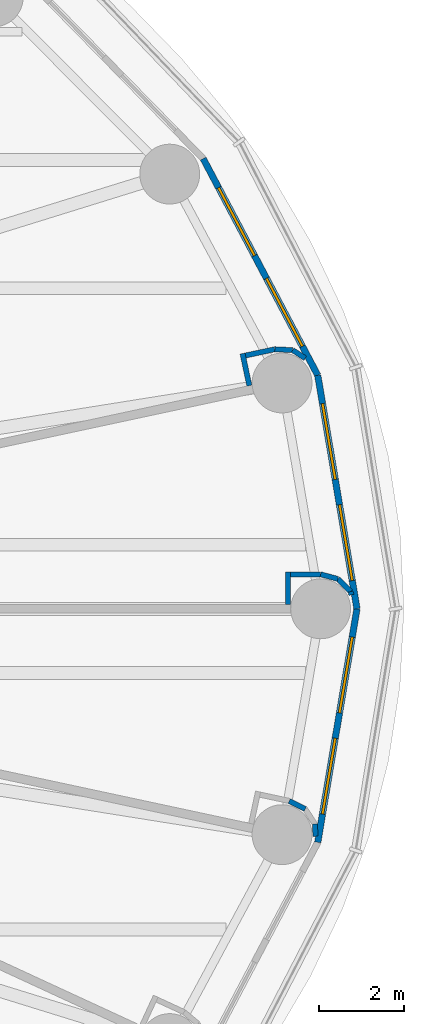
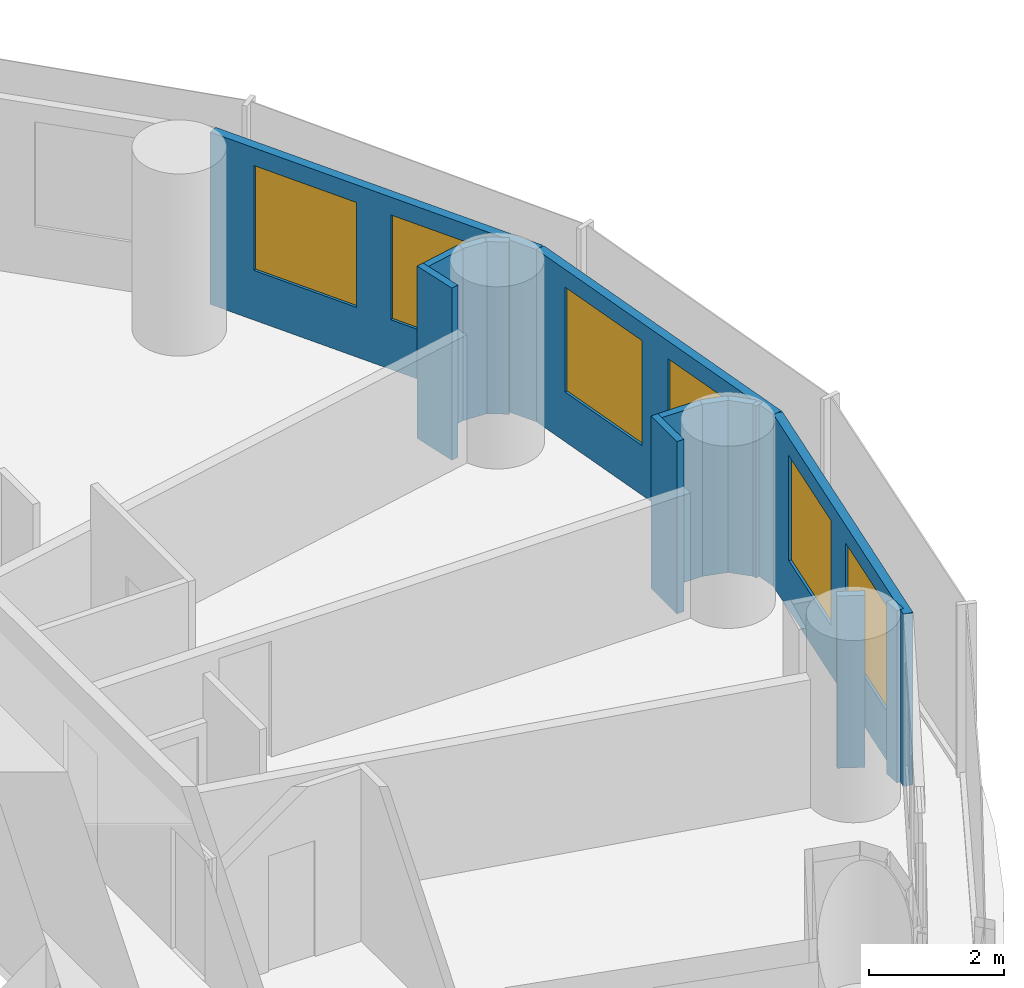
# One storey, part 11 of 14: 14 walls, 6 windows, 6 openings.
"""IFC4 building model written with IfcOpenShell, lengths in metres."""

from ifc_helpers import new_model, si_unit, direction, frame, frame_2d, origin, place, context, subcontext, project, spatial, rectangle, extrude, material, layer, layer_set, type_object, element, fill, save


model = new_model("IFC4")

# Units and contexts
model_context = context("Model", 3, precision=1e-05, world=origin(), true_north=direction((0.0, 1.0)))
body_context = subcontext(model_context, "Body", "Model", "MODEL_VIEW")
ifc_project = project(units=[si_unit("LENGTHUNIT", "METRE"), si_unit("AREAUNIT", "SQUARE_METRE"), si_unit("VOLUMEUNIT", "CUBIC_METRE"), si_unit("PLANEANGLEUNIT", "RADIAN"), si_unit("MASSUNIT", "GRAM", prefix="KILO")], contexts=[model_context])

# Site, building, storey
site_placement = place(None, origin())
site = spatial("IfcSite", under=ifc_project, at=site_placement, CompositionType="ELEMENT")
building_placement = place(site_placement, origin())
building = spatial("IfcBuilding", under=site, at=building_placement, Name="Hankou Lantern Tower", CompositionType="ELEMENT")
storey_placement = place(building_placement, frame((0.0, 0.0, 60.60009765625)))
storey = spatial("IfcBuildingStorey", under=building, at=storey_placement, Name="L14", CompositionType="ELEMENT", Elevation=60.60009765625)

# Wall, openings, windows
ifc_material_1 = material(Name="Aluminium spandrel panel on steel studs", Category="steel")
ifc_layer_1 = layer(ifc_material_1, 0.14990234375)
ifc_layer_set_1 = layer_set([ifc_layer_1], Name="Aluminium spandrel panel on steel studs")
wall_type_1 = type_object("IfcWallType", Name="EW1 INNER SKIN WALL 150", PredefinedType="ELEMENTEDWALL", material=ifc_layer_set_1)
wall_1_placement = place(storey_placement, frame((26.39990234375, 0.0, 0.0), z_axis=(0.0, 0.0, 1.0), x_axis=(-0.165642551694, 0.986185857264, 0.0)))
wall_1 = element("IfcWall", 1, at=wall_1_placement, inside=storey, type_object=wall_type_1, Name="Inner skin R01-R02 L14", PredefinedType="ELEMENTEDWALL", context=body_context, shape_type="SweptSolid", body=[
    extrude(rectangle(XDim=5.538818359375, YDim=0.14990234375, at=frame_2d((2.76953125, 0.0))), origin(), (0.0, 0.0, 1.0), 3.119873046875),
])
opening_1_placement = place(wall_1_placement, frame((0.66943359375, 0.0, 0.89990234375)))
opening_1 = element("IfcOpeningElement", 2, at=opening_1_placement, cuts=wall_1, Name="Opening W1", PredefinedType="OPENING", context=body_context, shape_type="SweptSolid", body=[
    extrude(rectangle(XDim=1.800048828125, YDim=1.89990234375, at=frame_2d((0.89990234375, 0.949951171875))), frame((0.0, 0.0849609375, 0.0), z_axis=(0.0, -1.0, 0.0), x_axis=(1.0, 0.0, 0.0)), (0.0, 0.0, 1.0), 0.169921875),
])
opening_2_placement = place(wall_1_placement, frame((3.069580078125, 0.0, 0.89990234375)))
opening_2 = element("IfcOpeningElement", 3, at=opening_2_placement, cuts=wall_1, Name="Opening W1", PredefinedType="OPENING", context=body_context, shape_type="SweptSolid", body=[
    extrude(rectangle(XDim=1.800048828125, YDim=1.89990234375, at=frame_2d((0.89990234375, 0.949951171875))), frame((0.0, 0.0849609375, 0.0), z_axis=(0.0, -1.0, 0.0), x_axis=(1.0, 0.0, 0.0)), (0.0, 0.0, 1.0), 0.169921875),
])
ifc_material_2 = material(Name="Aluminium framed double glazed window", Category="aluminium")
window_type = type_object("IfcWindowType", Name="W1 GUEST ROOM WINDOW 1800X1900", PartitioningType="DOUBLE_PANEL_VERTICAL", PredefinedType="WINDOW", material=ifc_material_2)
window_1_placement = place(opening_1_placement, origin())
window_1 = element("IfcWindow", 4, at=window_1_placement, inside=storey, type_object=window_type, Name="Window R01.1 L14", OverallHeight=1.89990234375, OverallWidth=1.800048828125, PartitioningType="SINGLE_PANEL", PredefinedType="WINDOW", context=body_context, shape_type="SweptSolid", body=[
    extrude(rectangle(XDim=1.800048828125, YDim=1.89990234375, at=frame_2d((0.89990234375, 0.949951171875))), frame((0.0, 0.030029296875, 0.0), z_axis=(0.0, -1.0, 0.0), x_axis=(1.0, 0.0, 0.0)), (0.0, 0.0, 1.0), 0.06005859375),
])
fill(opening_1, window_1)
window_2_placement = place(opening_2_placement, origin())
window_2 = element("IfcWindow", 5, at=window_2_placement, inside=storey, type_object=window_type, Name="Window R01.2 L14", OverallHeight=1.89990234375, OverallWidth=1.800048828125, PartitioningType="SINGLE_PANEL", PredefinedType="WINDOW", context=body_context, shape_type="SweptSolid", body=[
    extrude(rectangle(XDim=1.800048828125, YDim=1.89990234375, at=frame_2d((0.89990234375, 0.949951171875))), frame((0.0, 0.030029296875, 0.0), z_axis=(0.0, -1.0, 0.0), x_axis=(1.0, 0.0, 0.0)), (0.0, 0.0, 1.0), 0.06005859375),
])
fill(opening_2, window_2)

wall_2_placement = place(storey_placement, frame((25.482421875, 5.46240234375, 0.0), z_axis=(0.0, 0.0, 1.0), x_axis=(-0.467296867008, 0.884100468321, 0.0)))
wall_2 = element("IfcWall", 6, at=wall_2_placement, inside=storey, type_object=wall_type_1, Name="Inner skin R02-R03 L14", PredefinedType="ELEMENTEDWALL", context=body_context, shape_type="SweptSolid", body=[
    extrude(rectangle(XDim=5.734375, YDim=0.14990234375, at=frame_2d((2.8671875, 0.0))), origin(), (0.0, 0.0, 1.0), 3.119873046875),
])
opening_3_placement = place(wall_2_placement, frame((0.76708984375, 0.0, 0.89990234375)))
opening_3 = element("IfcOpeningElement", 7, at=opening_3_placement, cuts=wall_2, Name="Opening W1", PredefinedType="OPENING", context=body_context, shape_type="SweptSolid", body=[
    extrude(rectangle(XDim=1.800048828125, YDim=1.89990234375, at=frame_2d((0.89990234375, 0.949951171875))), frame((0.0, 0.0849609375, 0.0), z_axis=(0.0, -1.0, 0.0), x_axis=(1.0, 0.0, 0.0)), (0.0, 0.0, 1.0), 0.169921875),
])
opening_4_placement = place(wall_2_placement, frame((3.167236328125, 0.0, 0.89990234375)))
opening_4 = element("IfcOpeningElement", 8, at=opening_4_placement, cuts=wall_2, Name="Opening W1", PredefinedType="OPENING", context=body_context, shape_type="SweptSolid", body=[
    extrude(rectangle(XDim=1.800048828125, YDim=1.89990234375, at=frame_2d((0.89990234375, 0.949951171875))), frame((0.0, 0.0849609375, 0.0), z_axis=(0.0, -1.0, 0.0), x_axis=(1.0, 0.0, 0.0)), (0.0, 0.0, 1.0), 0.169921875),
])
window_3_placement = place(opening_3_placement, origin())
window_3 = element("IfcWindow", 9, at=window_3_placement, inside=storey, type_object=window_type, Name="Window R02.1 L14", OverallHeight=1.89990234375, OverallWidth=1.800048828125, PartitioningType="SINGLE_PANEL", PredefinedType="WINDOW", context=body_context, shape_type="SweptSolid", body=[
    extrude(rectangle(XDim=1.800048828125, YDim=1.89990234375, at=frame_2d((0.89990234375, 0.949951171875))), frame((0.0, 0.030029296875, 0.0), z_axis=(0.0, -1.0, 0.0), x_axis=(1.0, 0.0, 0.0)), (0.0, 0.0, 1.0), 0.06005859375),
])
fill(opening_3, window_3)
window_4_placement = place(opening_4_placement, origin())
window_4 = element("IfcWindow", 10, at=window_4_placement, inside=storey, type_object=window_type, Name="Window R02.2 L14", OverallHeight=1.89990234375, OverallWidth=1.800048828125, PartitioningType="SINGLE_PANEL", PredefinedType="WINDOW", context=body_context, shape_type="SweptSolid", body=[
    extrude(rectangle(XDim=1.800048828125, YDim=1.89990234375, at=frame_2d((0.89990234375, 0.949951171875))), frame((0.0, 0.030029296875, 0.0), z_axis=(0.0, -1.0, 0.0), x_axis=(1.0, 0.0, 0.0)), (0.0, 0.0, 1.0), 0.06005859375),
])
fill(opening_4, window_4)

wall_3_placement = place(storey_placement, frame((25.482421875, -5.46240234375, 0.0), z_axis=(0.0, 0.0, 1.0), x_axis=(0.165642551694, 0.986185857264, 0.0)))
wall_3 = element("IfcWall", 11, at=wall_3_placement, inside=storey, type_object=wall_type_1, Name="Inner skin R24-R01 L14", PredefinedType="ELEMENTEDWALL", context=body_context, shape_type="SweptSolid", body=[
    extrude(rectangle(XDim=5.538818359375, YDim=0.14990234375, at=frame_2d((2.76953125, 0.0))), origin(), (0.0, 0.0, 1.0), 3.119873046875),
])
opening_5_placement = place(wall_3_placement, frame((0.66943359375, 0.0, 0.89990234375)))
opening_5 = element("IfcOpeningElement", 12, at=opening_5_placement, cuts=wall_3, Name="Opening W1", PredefinedType="OPENING", context=body_context, shape_type="SweptSolid", body=[
    extrude(rectangle(XDim=1.800048828125, YDim=1.89990234375, at=frame_2d((0.89990234375, 0.949951171875))), frame((0.0, 0.0849609375, 0.0), z_axis=(0.0, -1.0, 0.0), x_axis=(1.0, 0.0, 0.0)), (0.0, 0.0, 1.0), 0.169921875),
])
opening_6_placement = place(wall_3_placement, frame((3.069580078125, 0.0, 0.89990234375)))
opening_6 = element("IfcOpeningElement", 13, at=opening_6_placement, cuts=wall_3, Name="Opening W1", PredefinedType="OPENING", context=body_context, shape_type="SweptSolid", body=[
    extrude(rectangle(XDim=1.800048828125, YDim=1.89990234375, at=frame_2d((0.89990234375, 0.949951171875))), frame((0.0, 0.0849609375, 0.0), z_axis=(0.0, -1.0, 0.0), x_axis=(1.0, 0.0, 0.0)), (0.0, 0.0, 1.0), 0.169921875),
])
window_5_placement = place(opening_5_placement, origin())
window_5 = element("IfcWindow", 14, at=window_5_placement, inside=storey, type_object=window_type, Name="Window R24.1 L14", OverallHeight=1.89990234375, OverallWidth=1.800048828125, PartitioningType="SINGLE_PANEL", PredefinedType="WINDOW", context=body_context, shape_type="SweptSolid", body=[
    extrude(rectangle(XDim=1.800048828125, YDim=1.89990234375, at=frame_2d((0.89990234375, 0.949951171875))), frame((0.0, 0.030029296875, 0.0), z_axis=(0.0, -1.0, 0.0), x_axis=(1.0, 0.0, 0.0)), (0.0, 0.0, 1.0), 0.06005859375),
])
fill(opening_5, window_5)
window_6_placement = place(opening_6_placement, origin())
window_6 = element("IfcWindow", 15, at=window_6_placement, inside=storey, type_object=window_type, Name="Window R24.2 L14", OverallHeight=1.89990234375, OverallWidth=1.800048828125, PartitioningType="SINGLE_PANEL", PredefinedType="WINDOW", context=body_context, shape_type="SweptSolid", body=[
    extrude(rectangle(XDim=1.800048828125, YDim=1.89990234375, at=frame_2d((0.89990234375, 0.949951171875))), frame((0.0, 0.030029296875, 0.0), z_axis=(0.0, -1.0, 0.0), x_axis=(1.0, 0.0, 0.0)), (0.0, 0.0, 1.0), 0.06005859375),
])
fill(opening_6, window_6)

# Walls
ifc_material_3 = material(Name="Masonry lightweight concrete block", Category="masonry")
ifc_layer_2 = layer(ifc_material_3, 0.1201171875)
ifc_layer_set_2 = layer_set([ifc_layer_2], Name="Masonry lightweight concrete block")
wall_type_2 = type_object("IfcWallType", Name="IW4 PARTITION 120", PredefinedType="PARTITIONING", material=ifc_layer_set_2)
wall_4_placement = place(storey_placement, frame((24.7900390625, 0.10009765625, 0.0), z_axis=(0.0, 0.0, 1.0), x_axis=(0.0, 1.0, 0.0)))
element("IfcWall", 16, at=wall_4_placement, inside=storey, type_object=wall_type_2, Name="Column casing R01 return", PredefinedType="PARTITIONING", context=body_context, shape_type="SweptSolid", body=[
    extrude(rectangle(XDim=0.767333984375, YDim=0.1201171875, at=frame_2d((0.3837890625, 0.0))), origin(), (0.0, 0.0, 1.0), 3.119873046875),
])
wall_5_placement = place(storey_placement, frame((24.85009765625, 0.8076171875, 0.0), z_axis=(0.0, 0.0, 1.0), x_axis=(1.0, 0.0, 0.0)))
element("IfcWall", 17, at=wall_5_placement, inside=storey, type_object=wall_type_2, Name="Column casing R01", PredefinedType="PARTITIONING", context=body_context, shape_type="SweptSolid", body=[
    extrude(rectangle(XDim=0.699951171875, YDim=0.1201171875, at=frame_2d((0.35009765625, 0.0))), origin(), (0.0, 0.0, 1.0), 3.119873046875),
])
wall_6_placement = place(storey_placement, frame((25.550048828125, 0.8076171875, 0.0), z_axis=(0.0, 0.0, 1.0), x_axis=(0.965807183573, -0.2592614205, 0.0)))
element("IfcWall", 18, at=wall_6_placement, inside=storey, type_object=wall_type_2, Name="Column casing R01", PredefinedType="PARTITIONING", context=body_context, shape_type="SweptSolid", body=[
    extrude(rectangle(XDim=0.418212890625, YDim=0.1201171875, at=frame_2d((0.208984375, 0.0))), origin(), (0.0, 0.0, 1.0), 3.119873046875),
])
wall_7_placement = place(storey_placement, frame((25.953857421875, 0.69921875, 0.0), z_axis=(0.0, 0.0, 1.0), x_axis=(0.707106781187, -0.707106781187, 0.0)))
element("IfcWall", 19, at=wall_7_placement, inside=storey, type_object=wall_type_2, Name="Column casing R01", PredefinedType="PARTITIONING", context=body_context, shape_type="SweptSolid", body=[
    extrude(rectangle(XDim=0.417724609375, YDim=0.1201171875, at=frame_2d((0.208984375, 0.0))), origin(), (0.0, 0.0, 1.0), 3.119873046875),
])
wall_8_placement = place(storey_placement, frame((26.249267578125, 0.40380859375, 0.0), z_axis=(0.0, 0.0, 1.0), x_axis=(0.259754282609, -0.965674744759, 0.0)))
element("IfcWall", 20, at=wall_8_placement, inside=storey, type_object=wall_type_2, Name="Column casing R01", PredefinedType="PARTITIONING", context=body_context, shape_type="SweptSolid", body=[
    extrude(rectangle(XDim=0.079833984375, YDim=0.1201171875, at=frame_2d((0.0400390625, 0.0))), origin(), (0.0, 0.0, 1.0), 3.119873046875),
])
wall_9_placement = place(storey_placement, frame((23.8828125, 5.2216796875, 0.0), z_axis=(0.0, 0.0, 1.0), x_axis=(-0.209311842415, 0.977848941619, 0.0)))
element("IfcWall", 21, at=wall_9_placement, inside=storey, type_object=wall_type_2, Name="Column casing R02 return", PredefinedType="PARTITIONING", context=body_context, shape_type="SweptSolid", body=[
    extrude(rectangle(XDim=0.767578125, YDim=0.1201171875, at=frame_2d((0.3837890625, 0.0))), origin(), (0.0, 0.0, 1.0), 3.119873046875),
])
wall_10_placement = place(storey_placement, frame((23.793212890625, 5.92626953125, 0.0), z_axis=(0.0, 0.0, 1.0), x_axis=(0.977792206673, 0.209576717621, 0.0)))
element("IfcWall", 22, at=wall_10_placement, inside=storey, type_object=wall_type_2, Name="Column casing R02", PredefinedType="PARTITIONING", context=body_context, shape_type="SweptSolid", body=[
    extrude(rectangle(XDim=0.7001953125, YDim=0.1201171875, at=frame_2d((0.35009765625, 0.0))), origin(), (0.0, 0.0, 1.0), 3.119873046875),
])
wall_11_placement = place(storey_placement, frame((24.477783203125, 6.072998046875, 0.0), z_axis=(0.0, 0.0, 1.0), x_axis=(0.998708262812, -0.05081147302, 0.0)))
element("IfcWall", 23, at=wall_11_placement, inside=storey, type_object=wall_type_2, Name="Column casing R02", PredefinedType="PARTITIONING", context=body_context, shape_type="SweptSolid", body=[
    extrude(rectangle(XDim=0.41796875, YDim=0.1201171875, at=frame_2d((0.208984375, 0.0))), origin(), (0.0, 0.0, 1.0), 3.119873046875),
])
wall_12_placement = place(storey_placement, frame((24.895263671875, 6.0517578125, 0.0), z_axis=(0.0, 0.0, 1.0), x_axis=(0.839495197275, -0.54336710772, 0.0)))
element("IfcWall", 24, at=wall_12_placement, inside=storey, type_object=wall_type_2, Name="Column casing R02", PredefinedType="PARTITIONING", context=body_context, shape_type="SweptSolid", body=[
    extrude(rectangle(XDim=0.349609375, YDim=0.1201171875, at=frame_2d((0.1748046875, 0.0))), origin(), (0.0, 0.0, 1.0), 3.119873046875),
])
wall_13_placement = place(storey_placement, frame((24.816162109375, -4.49365234375, 0.0), z_axis=(0.0, 0.0, 1.0), x_axis=(0.890303208847, -0.455368198623, 0.0)))
element("IfcWall", 25, at=wall_13_placement, inside=storey, type_object=wall_type_2, Name="Column casing R24", PredefinedType="PARTITIONING", context=body_context, shape_type="SweptSolid", body=[
    extrude(rectangle(XDim=0.418212890625, YDim=0.1201171875, at=frame_2d((0.208984375, 0.0))), origin(), (0.0, 0.0, 1.0), 3.119873046875),
])
wall_14_placement = place(storey_placement, frame((25.41552734375, -5.03515625, 0.0), z_axis=(0.0, 0.0, 1.0), x_axis=(0.050406329159, -0.998728793007, 0.0)))
element("IfcWall", 26, at=wall_14_placement, inside=storey, type_object=wall_type_2, Name="Column casing R24", PredefinedType="PARTITIONING", context=body_context, shape_type="SweptSolid", body=[
    extrude(rectangle(XDim=0.28564453125, YDim=0.1201171875, at=frame_2d((0.142822265625, 0.0))), origin(), (0.0, 0.0, 1.0), 3.119873046875),
])

save(model, "model.ifc")
